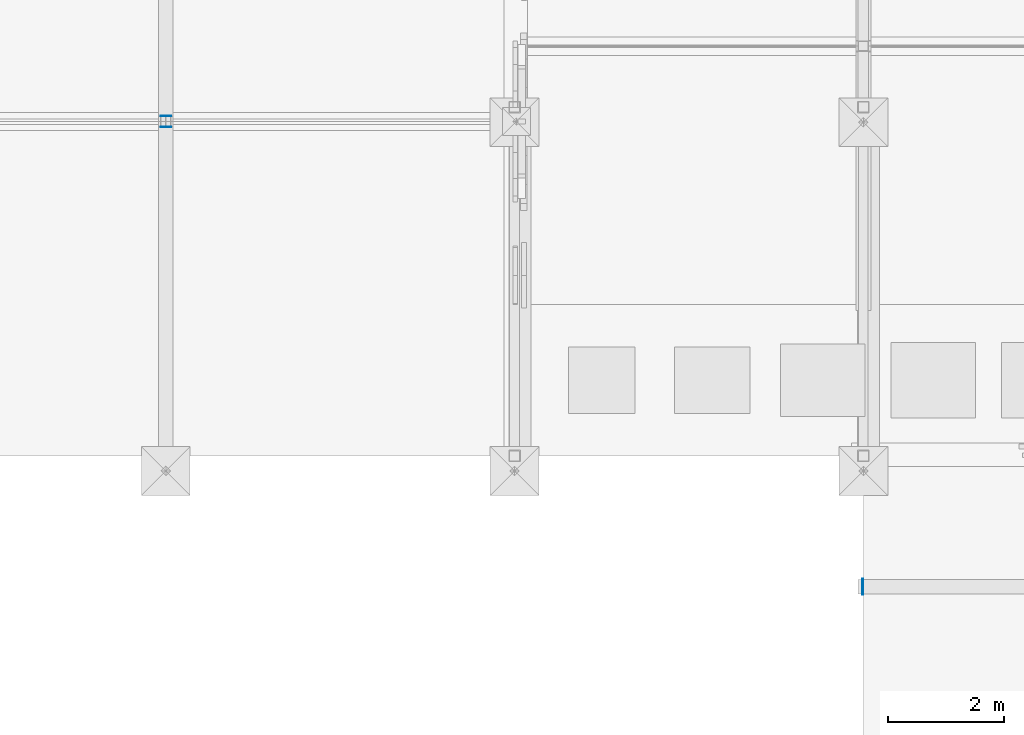
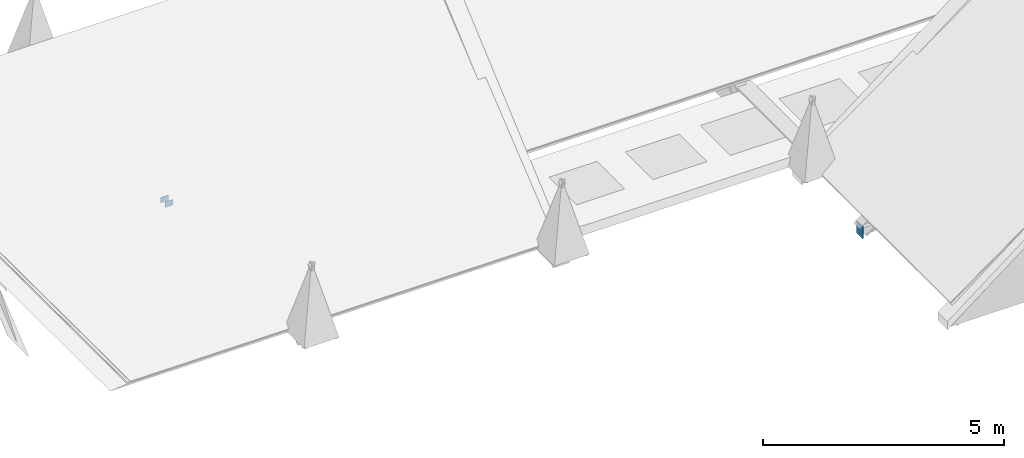
# One storey, part 22 of 33: 3 discrete accessories.
"""IFC4 building model written with IfcOpenShell, lengths in metres."""

import ifcopenshell
import ifcopenshell.guid

model = None  # the IFC model being written
_history = None  # IfcOwnerHistory: only IFC2X3 demands one
_inside = {}  # id of a spatial element -> (the spatial element, [elements in it])
_under = {}  # id of a project, library or spatial element -> (it, [spatial elements below it])
_declared = {}  # id of a project -> (the project, [libraries it declares])
_typed = {}  # id of a type object -> (the type object, [elements of that type])
_made_of = {}  # id of a material, layer set ... -> (it, [elements and type objects made of it])


def new_model(schema):
    """Start an empty IFC model of exactly this schema.

    Asked for "IFC4X3", IfcOpenShell would pick the latest addendum, in which some entities
    have other attributes; the version numbers below select the first issue.
    IFC2X3 requires an IfcOwnerHistory on every rooted entity: one is made here for all.
    """
    global model, _history
    if schema == "IFC4X3":
        model = ifcopenshell.file(schema_version=(4, 3, 0, 0))
    else:
        model = ifcopenshell.file(schema=schema)
    _inside.clear()
    _under.clear()
    _declared.clear()
    _typed.clear()
    _made_of.clear()
    _history = None
    if model.schema == "IFC2X3":
        org = make("IfcOrganization", Name="unknown")
        user = make(
            "IfcPersonAndOrganization",
            ThePerson=make("IfcPerson", FamilyName="unknown"),
            TheOrganization=org,
        )
        app = make(
            "IfcApplication",
            ApplicationDeveloper=org,
            Version="unknown",
            ApplicationFullName="unknown",
            ApplicationIdentifier="unknown",
        )
        _history = make(
            "IfcOwnerHistory",
            OwningUser=user,
            OwningApplication=app,
            ChangeAction="ADDED",
            CreationDate=0,
        )
    return model


def make(cls, **values):
    """One entity of the class cls with the attributes given. An attribute that is None is left unset."""
    return model.create_entity(
        cls, **{name: value for name, value in values.items() if value is not None}
    )


def rooted(cls, **values):
    """An entity with a GlobalId (a new one), such as an element, a storey or a relation."""
    return make(cls, GlobalId=ifcopenshell.guid.new(), OwnerHistory=_history, **values)


def si_unit(unit_type, name, prefix=None):
    """IfcSIUnit, for example si_unit("LENGTHUNIT", "METRE", prefix="MILLI")."""
    return make("IfcSIUnit", UnitType=unit_type, Prefix=prefix, Name=name)


def assignment(units):
    """IfcUnitAssignment: the units of a project."""
    return None if units is None else make("IfcUnitAssignment", Units=units)


def point(xyz):
    """IfcCartesianPoint."""
    return None if xyz is None else make("IfcCartesianPoint", Coordinates=xyz)


def direction(xyz):
    """IfcDirection."""
    return None if xyz is None else make("IfcDirection", DirectionRatios=xyz)


def frame(location, z_axis=None, x_axis=None):
    """IfcAxis2Placement3D, a coordinate frame: its origin and axes. An axis left out is left unset."""
    return make(
        "IfcAxis2Placement3D",
        Location=point(location),
        Axis=direction(z_axis),
        RefDirection=direction(x_axis),
    )


def frame_2d(location, x_axis=None):
    """IfcAxis2Placement2D, a coordinate frame in the plane: its origin and x axis."""
    return make(
        "IfcAxis2Placement2D", Location=point(location), RefDirection=direction(x_axis)
    )


def origin():
    """The frame at (0, 0, 0) with its axes left unset."""
    return frame((0.0, 0.0, 0.0))


def origin_2d():
    """The frame at (0, 0) in the plane with its x axis left unset."""
    return frame_2d((0.0, 0.0))


def place(relative_to, where):
    """IfcLocalPlacement: puts the frame where relative to a parent placement (None: the world)."""
    return make(
        "IfcLocalPlacement", PlacementRelTo=relative_to, RelativePlacement=where
    )


def context(
    kind, dimensions, precision=None, world=None, true_north=None, identifier=None
):
    """IfcGeometricRepresentationContext, for example the 3D "Model" context."""
    return make(
        "IfcGeometricRepresentationContext",
        ContextIdentifier=identifier,
        ContextType=kind,
        CoordinateSpaceDimension=dimensions,
        Precision=precision,
        WorldCoordinateSystem=world,
        TrueNorth=true_north,
    )


def subcontext(parent, identifier, kind, view, scale=None):
    """IfcGeometricRepresentationSubContext, for example "Body" below "Model"."""
    return make(
        "IfcGeometricRepresentationSubContext",
        ContextIdentifier=identifier,
        ContextType=kind,
        ParentContext=parent,
        TargetScale=scale,
        TargetView=view,
    )


def project(units=None, contexts=None):
    """IfcProject with its units and contexts."""
    return rooted(
        "IfcProject",
        Name="project",
        RepresentationContexts=contexts,
        UnitsInContext=assignment(units),
    )


def spatial(cls, under=None, at=None, **own):
    """A site, building, storey or space (cls), placed at a placement, below another one or the project."""
    s = rooted(cls, ObjectPlacement=at, **own)
    if under is not None:
        _under.setdefault(under.id(), (under, []))[1].append(s)
    return s


def profile(cls, at=None, kind="AREA", **sizes):
    """A parametric profile (cls). Its sizes go by their IFC names, for example OverallWidth=200.0."""
    return make(cls, ProfileType=kind, Position=at, **sizes)


def rectangle(**sizes):
    """IfcRectangleProfileDef."""
    return profile("IfcRectangleProfileDef", **sizes)


def extrude(swept, where, along, depth):
    """IfcExtrudedAreaSolid: the profile swept, set in the frame where, extruded along a direction by depth."""
    return make(
        "IfcExtrudedAreaSolid",
        SweptArea=swept,
        Position=where,
        ExtrudedDirection=direction(along),
        Depth=depth,
    )


def shape(context_of_items, identifier, shape_type, items):
    """IfcShapeRepresentation: the items that make up one representation, for example the "Body"."""
    return make(
        "IfcShapeRepresentation",
        ContextOfItems=context_of_items,
        RepresentationIdentifier=identifier,
        RepresentationType=shape_type,
        Items=items,
    )


def material(Name=None, Category=None):
    """IfcMaterial."""
    return make("IfcMaterial", Name=Name, Category=Category)


def made_of(thing, what):
    """Note that an element or type object is made of a material, layer set ...; save() writes the relation."""
    if what is not None:
        _made_of.setdefault(what.id(), (what, []))[1].append(thing)
    return thing


def type_object(cls, material=None, **own):
    """A type object (cls), such as IfcWallType, which elements share."""
    return made_of(rooted(cls, **own), material)


def element(
    cls,
    number,
    at=None,
    inside=None,
    cuts=None,
    type_object=None,
    material=None,
    context=None,
    identifier="Body",
    shape_type=None,
    held_by="IfcProductDefinitionShape",
    body=None,
    shapes=None,
    **own,
):
    """One element of the class cls, such as IfcWall. Its Tag is "e" and its number.

    at: its placement. inside: the storey or other place that contains it. cuts: it is an
    opening in that element (IfcRelVoidsElement). A single representation is given by context,
    identifier, shape_type and body (its items); several are given by shapes. held_by: the class
    of the entity that holds the representations. save() writes the other relations.
    """
    e = rooted(cls, Tag="e%d" % number, ObjectPlacement=at, **own)
    if body is not None:
        shapes = [shape(context, identifier, shape_type, body)]
    if shapes is not None:
        e.Representation = make(held_by, Representations=shapes)
    if inside is not None:
        _inside.setdefault(inside.id(), (inside, []))[1].append(e)
    if cuts is not None:
        rooted(
            "IfcRelVoidsElement", RelatingBuildingElement=cuts, RelatedOpeningElement=e
        )
    if type_object is not None:
        _typed.setdefault(type_object.id(), (type_object, []))[1].append(e)
    return made_of(e, material)


def aggregate(whole, parts):
    """IfcRelAggregates: a whole, such as a stair, and the parts it consists of."""
    return rooted("IfcRelAggregates", RelatingObject=whole, RelatedObjects=parts)


def save(model, path):
    """Write the relations noted so far, then the file.

    IfcRelAggregates (storeys below a building ...), IfcRelContainedInSpatialStructure (elements
    in a storey), IfcRelDefinesByType, IfcRelAssociatesMaterial and IfcRelDeclares: one each for
    every whole, place, type object, material and project.
    """
    for whole, parts in _under.values():
        aggregate(whole, parts)
    for where, things in _inside.values():
        rooted(
            "IfcRelContainedInSpatialStructure",
            RelatedElements=things,
            RelatingStructure=where,
        )
    for kind, things in _typed.values():
        rooted("IfcRelDefinesByType", RelatedObjects=things, RelatingType=kind)
    for what, things in _made_of.values():
        rooted("IfcRelAssociatesMaterial", RelatedObjects=things, RelatingMaterial=what)
    for by, libraries in _declared.values():
        rooted("IfcRelDeclares", RelatingContext=by, RelatedDefinitions=libraries)
    model.write(path)


model = new_model("IFC4")

# Units and contexts
model_context = context("Model", 3, precision=1e-05, world=origin(), true_north=direction((0.0, 1.0)))
body_context = subcontext(model_context, "Body", "Model", "MODEL_VIEW")
ifc_project = project(units=[si_unit("LENGTHUNIT", "METRE"), si_unit("AREAUNIT", "SQUARE_METRE"), si_unit("VOLUMEUNIT", "CUBIC_METRE"), si_unit("PLANEANGLEUNIT", "RADIAN"), si_unit("MASSUNIT", "GRAM", prefix="KILO")], contexts=[model_context])

# Site, building, storey
site_placement = place(None, origin())
site = spatial("IfcSite", under=ifc_project, at=site_placement, CompositionType="ELEMENT")
building_placement = place(site_placement, origin())
building = spatial("IfcBuilding", under=site, at=building_placement, Name="Cumevento Cable Car Station", CompositionType="ELEMENT")
storey_placement = place(building_placement, frame((0.0, 0.0, 22.5)))
storey = spatial("IfcBuildingStorey", under=building, at=storey_placement, Name="RF", CompositionType="ELEMENT", Elevation=22.5)

# Discrete accessories
ifc_material_1 = material(Name="Steel ASTM A572 Grade 50", Category="steel")
discrete_accessory_type_1 = type_object("IfcDiscreteAccessoryType", Name="King Post Foot Cleat Plate KC-01", PredefinedType="BRACKET", material=ifc_material_1)
for number, where, z_axis, x_axis, name in (
    (1, (46.0, 50.655029296875, -0.0009765625), (0.0, 0.0, 1.0), (0.0, 1.0, 0.0), "King Post Foot Cleat Plate #21"),
    (2, (46.0, 50.844970703125, -0.0009765625), (0.0, 0.0, 1.0), (0.0, 1.0, 0.0), "King Post Foot Cleat Plate #22"),
):
    element("IfcDiscreteAccessory", number, at=place(storey_placement, frame(where, z_axis=z_axis, x_axis=x_axis)), inside=storey, type_object=discrete_accessory_type_1, Name=name, PredefinedType="BRACKET", context=body_context, shape_type="SweptSolid", body=[
        extrude(rectangle(XDim=0.011962890625, YDim=0.179931640625, at=origin_2d()), origin(), (0.0, 0.0, 1.0), 0.139892578125),
    ])
ifc_material_2 = material(Name="Steel ASTM A572 Grade 50", Category="steel")
discrete_accessory_type_2 = type_object("IfcDiscreteAccessoryType", Name="Cast-in Embed Plate CE-01", PredefinedType="BRACKET", material=ifc_material_2)
discrete_accessory_placement = place(storey_placement, frame((57.992919921875, 42.75, -0.14990234375), z_axis=(0.0, 0.0, 1.0), x_axis=(-1.0, 0.0, 0.0)))
element("IfcDiscreteAccessory", 3, at=discrete_accessory_placement, inside=storey, type_object=discrete_accessory_type_2, Name="Cast-in Embed Plate #4", PredefinedType="BRACKET", context=body_context, shape_type="SweptSolid", body=[
    extrude(rectangle(XDim=0.01611328125, YDim=0.27001953125, at=origin_2d()), origin(), (0.0, 0.0, 1.0), 0.300048828125),
])

save(model, "model.ifc")
